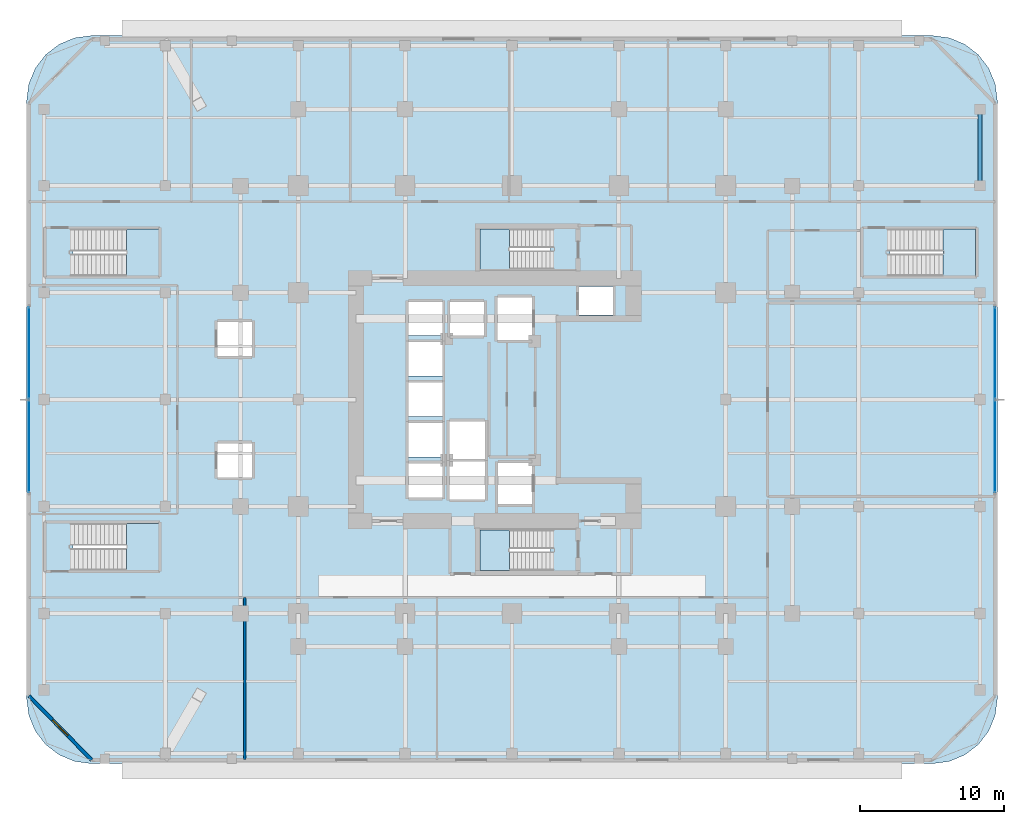
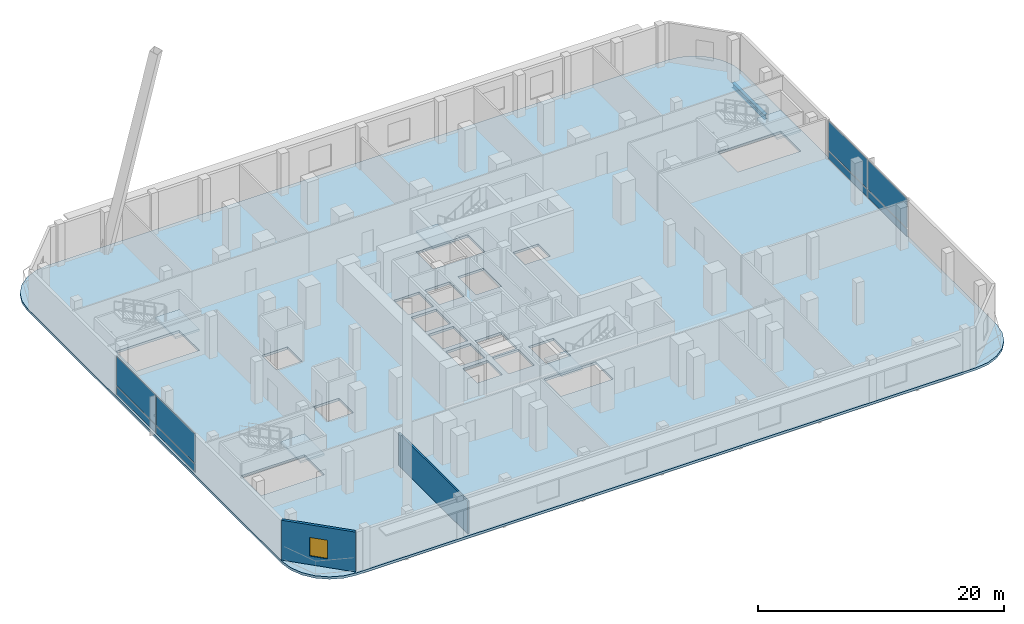
# One storey, part 7 of 19: 8 plates, 6 slabs, 2 walls, 1 beam, 1 window, 1 opening, 7 elements without a shape of their own.
"""IFC4 building model written with IfcOpenShell, lengths in metres."""

from ifc_helpers import new_model, si_unit, direction, frame, frame_2d, origin, origin_2d, place, context, subcontext, project, spatial, polyline, rectangle, i_section, outline, extrude, material, layer, layer_set, material_profile, profile_set, type_object, element, fill, aggregate, save


model = new_model("IFC4")

# Units and contexts
model_context = context("Model", 3, precision=1e-05, world=origin(), true_north=direction((0.0, 1.0)))
body_context = subcontext(model_context, "Body", "Model", "MODEL_VIEW")
ifc_project = project(units=[si_unit("LENGTHUNIT", "METRE"), si_unit("AREAUNIT", "SQUARE_METRE"), si_unit("VOLUMEUNIT", "CUBIC_METRE"), si_unit("PLANEANGLEUNIT", "RADIAN"), si_unit("MASSUNIT", "GRAM", prefix="KILO")], contexts=[model_context])

# Site, building, storey
site_placement = place(None, origin())
site = spatial("IfcSite", under=ifc_project, at=site_placement, CompositionType="ELEMENT")
building_placement = place(site_placement, origin())
building = spatial("IfcBuilding", under=site, at=building_placement, Name="Khorvyn Point Tower", CompositionType="ELEMENT")
storey_placement = place(building_placement, frame((0.0, 0.0, 4.800048828125)))
storey = spatial("IfcBuildingStorey", under=building, at=storey_placement, Name="L02", CompositionType="ELEMENT", Elevation=4.800048828125)

# Beam
ifc_material_1 = material(Name="Steel S355", Category="steel")
ifc_material_profile = material_profile(ifc_material_1, i_section(OverallWidth=0.300048828125, OverallDepth=0.488037109375, WebThickness=0.010986328125, FlangeThickness=0.01806640625, at=origin_2d()))
ifc_profile_set = profile_set([ifc_material_profile], Name="Steel S355 H488x300x11x18")
beam_type = type_object("IfcBeamType", Name="Steel S355 Spandrel H488x300x11x18", PredefinedType="SPANDREL", material=ifc_profile_set)
beam_placement = place(storey_placement, frame((32.39990234375, 14.800048828125, -0.484130859375), z_axis=(0.0, 1.0, 0.0), x_axis=(-1.0, 0.0, 0.0)))
element("IfcBeam", 1, at=beam_placement, inside=storey, type_object=beam_type, Name="Beam", PredefinedType="SPANDREL", context=body_context, shape_type="SweptSolid", body=[
    extrude(i_section(OverallWidth=0.300048828125, OverallDepth=0.488037109375, WebThickness=0.010986328125, FlangeThickness=0.01806640625, at=origin_2d()), origin(), (0.0, 0.0, 1.0), 5.300048828125),
])

# Slab
ifc_material_2 = material(Name="Concrete C35/45", Category="concrete")
ifc_layer_1 = layer(ifc_material_2, 0.239990234375)
ifc_layer_set_1 = layer_set([ifc_layer_1], Name="Concrete C35/45 Structural Floor Slab 240")
slab_type_1 = type_object("IfcSlabType", Name="Concrete C35/45 Structural Floor Slab 240", PredefinedType="FLOOR", material=ifc_layer_set_1)
slab_1_placement = place(storey_placement, frame((0.0, 0.0, -0.239990234375)))
element("IfcSlab", 2, at=slab_1_placement, inside=storey, type_object=slab_type_1, Name="L02 Main Structural Floor Slab", PredefinedType="FLOOR", context=body_context, shape_type="SweptSolid", body=[
    extrude(outline(polyline([(-29.10009765625, -25.199951171875), (-30.2646484375, -25.046630859375), (-31.35009765625, -24.59716796875), (-32.281982421875, -23.882080078125), (-32.9970703125, -22.949951171875), (-33.44677734375, -21.86474609375), (-33.60009765625, -20.699951171875), (-33.60009765625, 20.699951171875), (-33.44677734375, 21.86474609375), (-32.9970703125, 22.949951171875), (-32.281982421875, 23.882080078125), (-31.35009765625, 24.59716796875), (-30.2646484375, 25.046630859375), (-29.10009765625, 25.199951171875), (29.10009765625, 25.199951171875), (30.2646484375, 25.046630859375), (31.35009765625, 24.59716796875), (32.281982421875, 23.882080078125), (32.9970703125, 22.949951171875), (33.44677734375, 21.86474609375), (33.60009765625, 20.699951171875), (33.60009765625, -20.699951171875), (33.44677734375, -21.86474609375), (32.9970703125, -22.949951171875), (32.281982421875, -23.882080078125), (31.35009765625, -24.59716796875), (30.2646484375, -25.046630859375), (29.10009765625, -25.199951171875), (-29.10009765625, -25.199951171875)]), holes=[polyline([(-30.3798828125, -11.820068359375), (-24.449951171875, -11.820068359375), (-24.449951171875, -8.56005859375), (-30.3798828125, -8.56005859375), (-30.3798828125, -11.820068359375)]), polyline([(-7.175048828125, -6.77490234375), (-4.824951171875, -6.77490234375), (-4.824951171875, -4.425048828125), (-7.175048828125, -4.425048828125), (-7.175048828125, -6.77490234375)]), polyline([(-20.39990234375, -5.375), (-18.0, -5.375), (-18.0, -3.02490234375), (-20.39990234375, -3.02490234375), (-20.39990234375, -5.375)]), polyline([(-7.175048828125, -3.97509765625), (-4.824951171875, -3.97509765625), (-4.824951171875, -1.625), (-7.175048828125, -1.625), (-7.175048828125, -3.97509765625)]), polyline([(-7.175048828125, -1.175048828125), (-4.824951171875, -1.175048828125), (-4.824951171875, 1.175048828125), (-7.175048828125, 1.175048828125), (-7.175048828125, -1.175048828125)]), polyline([(-7.175048828125, 1.625), (-4.824951171875, 1.625), (-4.824951171875, 3.97509765625), (-7.175048828125, 3.97509765625), (-7.175048828125, 1.625)]), polyline([(-20.39990234375, 3.02490234375), (-18.0, 3.02490234375), (-18.0, 5.375), (-20.39990234375, 5.375), (-20.39990234375, 3.02490234375)]), polyline([(-7.175048828125, 6.77490234375), (-7.175048828125, 4.425048828125), (-4.824951171875, 4.425048828125), (-4.824951171875, 6.77490234375), (-7.175048828125, 6.77490234375)]), polyline([(-30.3798828125, 11.820068359375), (-30.3798828125, 8.56005859375), (-24.449951171875, 8.56005859375), (-24.449951171875, 11.820068359375), (-30.3798828125, 11.820068359375)]), polyline([(-2.199951171875, -11.820068359375), (2.679931640625, -11.820068359375), (2.679931640625, -9.02001953125), (-2.199951171875, -9.02001953125), (-2.199951171875, -11.820068359375)]), polyline([(-0.97509765625, -7.22509765625), (1.375, -7.22509765625), (1.375, -4.375), (-0.97509765625, -4.375), (-0.97509765625, -7.22509765625)]), polyline([(-4.324951171875, -6.89990234375), (-1.875, -6.89990234375), (-1.875, -4.300048828125), (-4.324951171875, -4.300048828125), (-4.324951171875, -6.89990234375)]), polyline([(-4.324951171875, -4.10009765625), (-1.875, -4.10009765625), (-1.875, -1.5), (-4.324951171875, -1.5), (-4.324951171875, -4.10009765625)]), polyline([(-4.27490234375, 4.425048828125), (-1.925048828125, 4.425048828125), (-1.925048828125, 6.77490234375), (-4.27490234375, 6.77490234375), (-4.27490234375, 4.425048828125)]), polyline([(-1.0, 4.125), (1.39990234375, 4.125), (1.39990234375, 7.074951171875), (-1.0, 7.074951171875), (-1.0, 4.125)]), polyline([(4.625, 5.85009765625), (6.97509765625, 5.85009765625), (6.97509765625, 7.830078125), (4.625, 7.830078125), (4.625, 5.85009765625)]), polyline([(26.169921875, 11.820068359375), (26.169921875, 8.56005859375), (32.10009765625, 8.56005859375), (32.10009765625, 11.820068359375), (26.169921875, 11.820068359375)]), polyline([(-2.199951171875, 11.820068359375), (-2.199951171875, 9.02001953125), (2.679931640625, 9.02001953125), (2.679931640625, 11.820068359375), (-2.199951171875, 11.820068359375)])]), origin(), (0.0, 0.0, 1.0), 0.239990234375),
])

# Stair, slab
ifc_material_3 = material(Name="Concrete C40/50", Category="concrete")
stair_type_1 = type_object("IfcStairType", Name="Tower Concrete C40/50 Dogleg Exit Stair", PredefinedType="HALF_TURN_STAIR", material=ifc_material_3)
stair_1_placement = place(storey_placement, origin())
stair_1 = element("IfcStair", 3, at=stair_1_placement, inside=storey, type_object=stair_type_1, Name="L02 Tower Smokeproof Exit Stair South", PredefinedType="HALF_TURN_STAIR")
ifc_layer_2 = layer(ifc_material_3, 0.199951171875)
ifc_layer_set_2 = layer_set([ifc_layer_2], Name="Concrete C40/50 Stair Landing Slab 200")
slab_type_2 = type_object("IfcSlabType", Name="Concrete C40/50 Stair Landing Slab 200", PredefinedType="LANDING", material=ifc_layer_set_2)
slab_2_placement = place(storey_placement, frame((0.0, 0.0, 1.89990234375)))
slab_2 = element("IfcSlab", 4, at=slab_2_placement, type_object=slab_type_2, Name="ST-01 landing 1", PredefinedType="LANDING", context=body_context, shape_type="SweptSolid", body=[
    extrude(outline(polyline([(-0.179931640625, -9.02001953125), (-2.199951171875, -9.02001953125), (-2.199951171875, -11.820068359375), (-0.179931640625, -11.820068359375), (-0.179931640625, -9.02001953125)])), origin(), (0.0, 0.0, 1.0), 0.199951171875),
])
aggregate(stair_1, [slab_2])

stair_2_placement = place(storey_placement, origin())
stair_2 = element("IfcStair", 5, at=stair_2_placement, inside=storey, type_object=stair_type_1, Name="L02 Tower Smokeproof Exit Stair North", PredefinedType="HALF_TURN_STAIR")
slab_3_placement = place(storey_placement, frame((0.0, 0.0, 1.89990234375)))
slab_3 = element("IfcSlab", 6, at=slab_3_placement, type_object=slab_type_2, Name="ST-02 landing 1", PredefinedType="LANDING", context=body_context, shape_type="SweptSolid", body=[
    extrude(outline(polyline([(-0.179931640625, 11.820068359375), (-2.199951171875, 11.820068359375), (-2.199951171875, 9.02001953125), (-0.179931640625, 9.02001953125), (-0.179931640625, 11.820068359375)])), origin(), (0.0, 0.0, 1.0), 0.199951171875),
])
aggregate(stair_2, [slab_3])

stair_type_2 = type_object("IfcStairType", Name="School Podium Concrete C40/50 Wide Exit Stair", PredefinedType="HALF_TURN_STAIR", material=ifc_material_3)
stair_3_placement = place(storey_placement, origin())
stair_3 = element("IfcStair", 7, at=stair_3_placement, inside=storey, type_object=stair_type_2, Name="L02 School Podium Smokeproof Stair Southwest", PredefinedType="HALF_TURN_STAIR")
slab_4_placement = place(storey_placement, frame((0.0, 0.0, 1.89990234375)))
slab_4 = element("IfcSlab", 8, at=slab_4_placement, type_object=slab_type_2, Name="ST-S1 landing 1", PredefinedType="LANDING", context=body_context, shape_type="SweptSolid", body=[
    extrude(outline(polyline([(-26.699951171875, -11.820068359375), (-24.449951171875, -11.820068359375), (-24.449951171875, -8.56005859375), (-26.699951171875, -8.56005859375), (-26.699951171875, -11.820068359375)])), origin(), (0.0, 0.0, 1.0), 0.199951171875),
])
aggregate(stair_3, [slab_4])

stair_4_placement = place(storey_placement, origin())
stair_4 = element("IfcStair", 9, at=stair_4_placement, inside=storey, type_object=stair_type_2, Name="L02 School Podium Smokeproof Stair Northwest", PredefinedType="HALF_TURN_STAIR")
slab_5_placement = place(storey_placement, frame((0.0, 0.0, 1.89990234375)))
slab_5 = element("IfcSlab", 10, at=slab_5_placement, type_object=slab_type_2, Name="ST-S2 landing 1", PredefinedType="LANDING", context=body_context, shape_type="SweptSolid", body=[
    extrude(outline(polyline([(-26.699951171875, 8.56005859375), (-24.449951171875, 8.56005859375), (-24.449951171875, 11.820068359375), (-26.699951171875, 11.820068359375), (-26.699951171875, 8.56005859375)])), origin(), (0.0, 0.0, 1.0), 0.199951171875),
])
aggregate(stair_4, [slab_5])

stair_5_placement = place(storey_placement, origin())
stair_5 = element("IfcStair", 11, at=stair_5_placement, inside=storey, type_object=stair_type_2, Name="L02 School Podium Smokeproof Stair Northeast", PredefinedType="HALF_TURN_STAIR")
slab_6_placement = place(storey_placement, frame((0.0, 0.0, 1.89990234375)))
slab_6 = element("IfcSlab", 12, at=slab_6_placement, type_object=slab_type_2, Name="ST-S3 landing 1", PredefinedType="LANDING", context=body_context, shape_type="SweptSolid", body=[
    extrude(outline(polyline([(29.85009765625, 8.56005859375), (32.10009765625, 8.56005859375), (32.10009765625, 11.820068359375), (29.85009765625, 11.820068359375), (29.85009765625, 8.56005859375)])), origin(), (0.0, 0.0, 1.0), 0.199951171875),
])
aggregate(stair_5, [slab_6])

# Curtain wall, plates
ifc_material_4 = material(Name="Anodised aluminium 6063-T6 and laminated Low-E glass", Category="aluminium")
ifc_layer_3 = layer(ifc_material_4, 0.18994140625)
ifc_layer_set_3 = layer_set([ifc_layer_3], Name="Stick-Built Low-E Podium Curtain Wall CW-SYS-01")
curtain_wall_type = type_object("IfcCurtainWallType", Name="Stick-Built Low-E Podium Curtain Wall CW-SYS-01", PredefinedType="NOTDEFINED", material=ifc_layer_set_3)
curtain_wall_1_placement = place(storey_placement, origin())
curtain_wall_1 = element("IfcCurtainWall", 13, at=curtain_wall_1_placement, inside=storey, type_object=curtain_wall_type, Name="Curtain Wall", PredefinedType="NOTDEFINED")
ifc_material_5 = material(Name="Pale anodised aluminium 5005", Category="aluminium")
ifc_layer_4 = layer(ifc_material_5, 0.0400390625)
ifc_layer_set_4 = layer_set([ifc_layer_4], Name="Pale Champagne Aluminium Insulated Spandrel Panel CW-SP40")
plate_type_1 = type_object("IfcPlateType", Name="Pale Champagne Aluminium Insulated Spandrel Panel CW-SP40", PredefinedType="SHEET", material=ifc_layer_set_4)
plate_1_placement = place(storey_placement, frame((-33.449951171875, -3.22509765625, 0.099853515625), z_axis=(0.0, 0.0, 1.0), x_axis=(0.0, 1.0, 0.0)))
plate_1 = element("IfcPlate", 14, at=plate_1_placement, type_object=plate_type_1, Name="Panel", PredefinedType="SHEET", context=body_context, shape_type="SweptSolid", body=[
    extrude(rectangle(XDim=6.35009765625, YDim=0.0400390625, at=origin_2d()), origin(), (0.0, 0.0, 1.0), 0.75),
])
plate_2_placement = place(storey_placement, frame((-33.449951171875, 3.22509765625, 0.099853515625), z_axis=(0.0, 0.0, 1.0), x_axis=(0.0, 1.0, 0.0)))
plate_2 = element("IfcPlate", 15, at=plate_2_placement, type_object=plate_type_1, Name="Panel", PredefinedType="SHEET", context=body_context, shape_type="SweptSolid", body=[
    extrude(rectangle(XDim=6.35009765625, YDim=0.0400390625, at=origin_2d()), origin(), (0.0, 0.0, 1.0), 0.75),
])

curtain_wall_2_placement = place(storey_placement, origin())
curtain_wall_2 = element("IfcCurtainWall", 16, at=curtain_wall_2_placement, inside=storey, type_object=curtain_wall_type, Name="Curtain Wall", PredefinedType="NOTDEFINED")
plate_3_placement = place(storey_placement, frame((33.449951171875, -3.22509765625, 0.099853515625), z_axis=(0.0, 0.0, 1.0), x_axis=(0.0, 1.0, 0.0)))
plate_3 = element("IfcPlate", 17, at=plate_3_placement, type_object=plate_type_1, Name="Panel", PredefinedType="SHEET", context=body_context, shape_type="SweptSolid", body=[
    extrude(rectangle(XDim=6.35009765625, YDim=0.0400390625, at=origin_2d()), origin(), (0.0, 0.0, 1.0), 0.75),
])
plate_4_placement = place(storey_placement, frame((33.449951171875, 3.22509765625, 0.099853515625), z_axis=(0.0, 0.0, 1.0), x_axis=(0.0, 1.0, 0.0)))
plate_4 = element("IfcPlate", 18, at=plate_4_placement, type_object=plate_type_1, Name="Panel", PredefinedType="SHEET", context=body_context, shape_type="SweptSolid", body=[
    extrude(rectangle(XDim=6.35009765625, YDim=0.0400390625, at=origin_2d()), origin(), (0.0, 0.0, 1.0), 0.75),
])

# Plate
ifc_material_6 = material(Name="Laminated Low-E insulated glass", Category="glass")
ifc_layer_5 = layer(ifc_material_6, 0.028076171875)
ifc_layer_set_5 = layer_set([ifc_layer_5], Name="Tempered Low-E Vision Glazing Panel CW-GL28")
plate_type_2 = type_object("IfcPlateType", Name="Tempered Low-E Vision Glazing Panel CW-GL28", PredefinedType="CURTAIN_PANEL", material=ifc_layer_set_5)
plate_5_placement = place(storey_placement, frame((-33.449951171875, -3.22509765625, 0.9501953125), z_axis=(0.0, 0.0, 1.0), x_axis=(0.0, 1.0, 0.0)))
plate_5 = element("IfcPlate", 19, at=plate_5_placement, type_object=plate_type_2, Name="Panel", PredefinedType="CURTAIN_PANEL", context=body_context, shape_type="SweptSolid", body=[
    extrude(rectangle(XDim=6.35009765625, YDim=0.028076171875, at=origin_2d()), origin(), (0.0, 0.0, 1.0), 2.909912109375),
])

plate_6_placement = place(storey_placement, frame((-33.449951171875, 3.22509765625, 0.9501953125), z_axis=(0.0, 0.0, 1.0), x_axis=(0.0, 1.0, 0.0)))
plate_6 = element("IfcPlate", 20, at=plate_6_placement, type_object=plate_type_2, Name="Panel", PredefinedType="CURTAIN_PANEL", context=body_context, shape_type="SweptSolid", body=[
    extrude(rectangle(XDim=6.35009765625, YDim=0.028076171875, at=origin_2d()), origin(), (0.0, 0.0, 1.0), 2.909912109375),
])

aggregate(curtain_wall_1, [plate_1, plate_5, plate_2, plate_6])

plate_7_placement = place(storey_placement, frame((33.449951171875, -3.22509765625, 0.9501953125), z_axis=(0.0, 0.0, 1.0), x_axis=(0.0, 1.0, 0.0)))
plate_7 = element("IfcPlate", 21, at=plate_7_placement, type_object=plate_type_2, Name="Panel", PredefinedType="CURTAIN_PANEL", context=body_context, shape_type="SweptSolid", body=[
    extrude(rectangle(XDim=6.35009765625, YDim=0.028076171875, at=origin_2d()), origin(), (0.0, 0.0, 1.0), 2.909912109375),
])

plate_8_placement = place(storey_placement, frame((33.449951171875, 3.22509765625, 0.9501953125), z_axis=(0.0, 0.0, 1.0), x_axis=(0.0, 1.0, 0.0)))
plate_8 = element("IfcPlate", 22, at=plate_8_placement, type_object=plate_type_2, Name="Panel", PredefinedType="CURTAIN_PANEL", context=body_context, shape_type="SweptSolid", body=[
    extrude(rectangle(XDim=6.35009765625, YDim=0.028076171875, at=origin_2d()), origin(), (0.0, 0.0, 1.0), 2.909912109375),
])

aggregate(curtain_wall_2, [plate_3, plate_7, plate_4, plate_8])

# Wall, opening, window
ifc_material_7 = material(Name="Pale anodised aluminium rainscreen on steel stud", Category="steel")
ifc_layer_6 = layer(ifc_material_7, 0.239990234375)
ifc_layer_set_6 = layer_set([ifc_layer_6], Name="Anodised Aluminium Insulated Corner Spandrel Wall 240")
wall_type_1 = type_object("IfcWallType", Name="Anodised Aluminium Insulated Corner Spandrel Wall 240", PredefinedType="SOLIDWALL", material=ifc_layer_set_6)
wall_1_placement = place(storey_placement, frame((-29.10009765625, -24.949951171875, 0.0), z_axis=(0.0, 0.0, 1.0), x_axis=(-0.69901822973, 0.715103848756, 0.0)))
wall_1 = element("IfcWall", 23, at=wall_1_placement, inside=storey, type_object=wall_type_1, Name="L02 Rounded Corner Wall SW", PredefinedType="SOLIDWALL", context=body_context, shape_type="SweptSolid", body=[
    extrude(rectangle(XDim=6.222900390625, YDim=0.239990234375, at=frame_2d((3.111328125, 0.0))), origin(), (0.0, 0.0, 1.0), 3.9599609375),
])
opening_placement = place(wall_1_placement, frame((2.361572265625, 0.0, 0.85009765625)))
opening = element("IfcOpeningElement", 24, at=opening_placement, cuts=wall_1, Name="Opening WN-1518", PredefinedType="OPENING", context=body_context, shape_type="SweptSolid", body=[
    extrude(rectangle(XDim=1.5, YDim=1.85009765625, at=frame_2d((0.75, 0.925048828125))), frame((0.0, 0.1298828125, 0.0), z_axis=(0.0, -1.0, 0.0), x_axis=(1.0, 0.0, 0.0)), (0.0, 0.0, 1.0), 0.260009765625),
])
window_type = type_object("IfcWindowType", Name="Anodised Aluminium Rounded-Corner Panoramic Window 1500x1850", PartitioningType="SINGLE_PANEL", PredefinedType="WINDOW", material=ifc_material_4)
window_placement = place(opening_placement, origin())
window = element("IfcWindow", 25, at=window_placement, inside=storey, type_object=window_type, Name="L02 Corner Window SW", OverallHeight=1.85009765625, OverallWidth=1.5, PartitioningType="SINGLE_PANEL", PredefinedType="WINDOW", context=body_context, shape_type="SweptSolid", body=[
    extrude(rectangle(XDim=1.5, YDim=1.85009765625, at=frame_2d((0.75, 0.925048828125))), frame((0.0, 0.030029296875, 0.0), z_axis=(0.0, -1.0, 0.0), x_axis=(1.0, 0.0, 0.0)), (0.0, 0.0, 1.0), 0.06005859375),
])
fill(opening, window)

# Wall
ifc_material_8 = material(Name="Moisture-resistant gypsum and cement board", Category="gypsum")
ifc_layer_7 = layer(ifc_material_8, 0.14990234375)
ifc_layer_set_7 = layer_set([ifc_layer_7], Name="Moisture-Resistant Wet-Room Partition Wall 150")
wall_type_2 = type_object("IfcWallType", Name="Moisture-Resistant Wet-Room Partition Wall 150", PredefinedType="PARTITIONING", material=ifc_layer_set_7)
wall_2_placement = place(storey_placement, frame((-18.5, -24.919921875, 0.0), z_axis=(0.0, 0.0, 1.0), x_axis=(0.0, 1.0, 0.0)))
element("IfcWall", 26, at=wall_2_placement, inside=storey, type_object=wall_type_2, Name="Wall", PredefinedType="PARTITIONING", context=body_context, shape_type="SweptSolid", body=[
    extrude(rectangle(XDim=11.219970703125, YDim=0.14990234375, at=frame_2d((5.60986328125, 0.0))), origin(), (0.0, 0.0, 1.0), 3.25),
])

save(model, "model.ifc")
